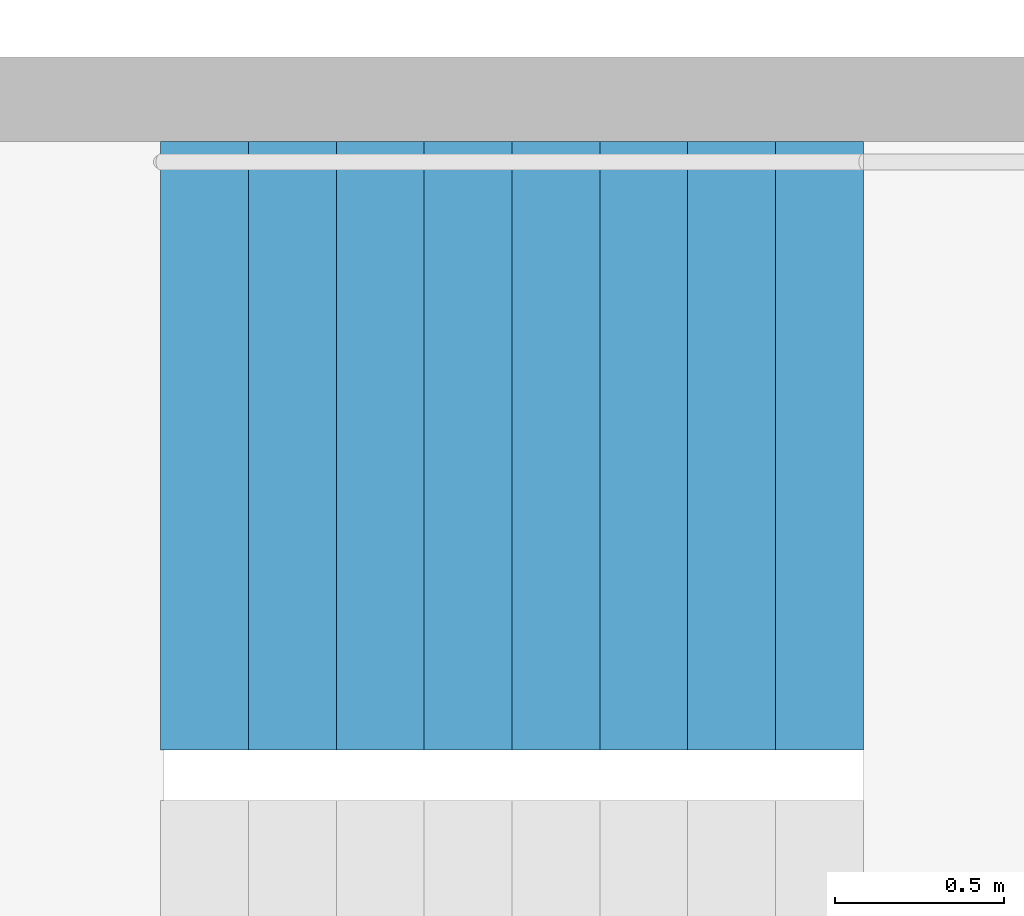
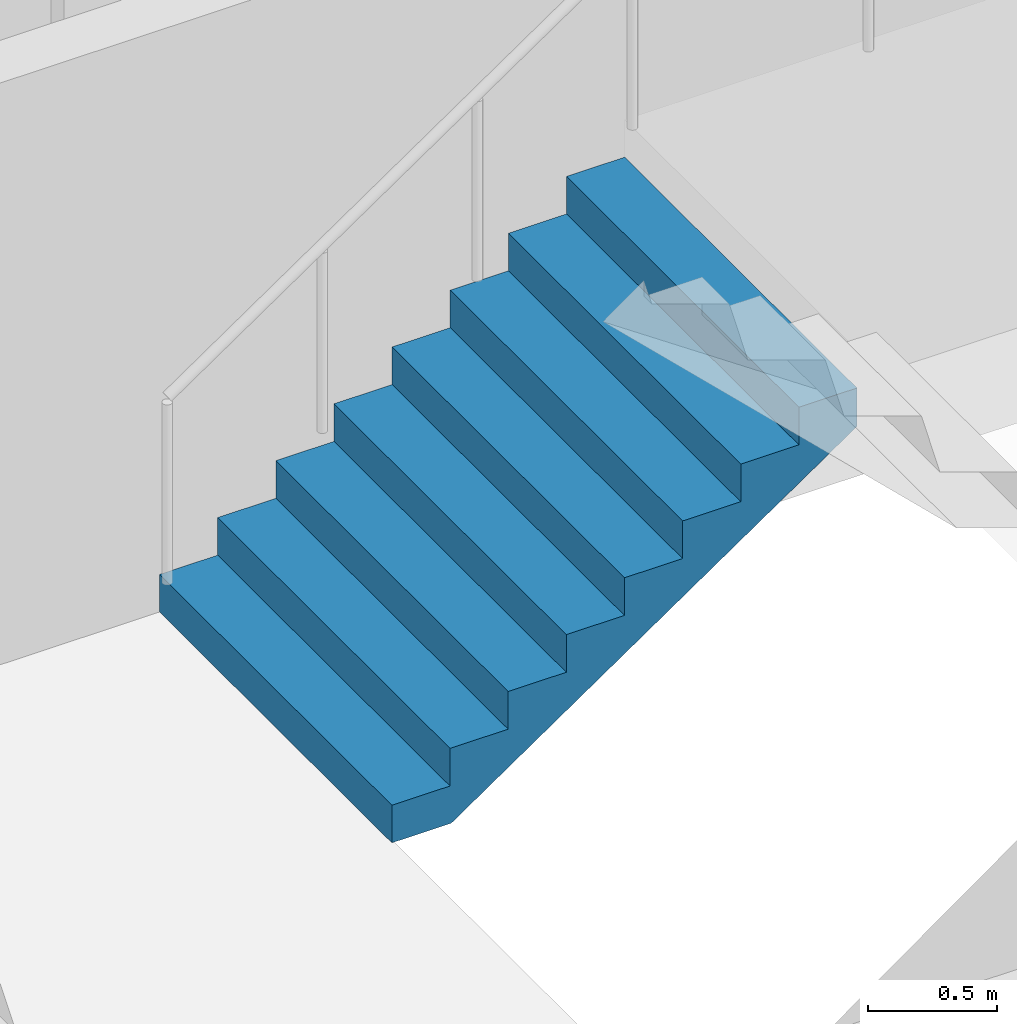
# One storey, part 24 of 27: 1 stair flight, 1 element without a shape of its own.
"""IFC4 building model written with IfcOpenShell, lengths in metres."""

import ifcopenshell
import ifcopenshell.guid

model = None  # the IFC model being written
_history = None  # IfcOwnerHistory: only IFC2X3 demands one
_inside = {}  # id of a spatial element -> (the spatial element, [elements in it])
_under = {}  # id of a project, library or spatial element -> (it, [spatial elements below it])
_declared = {}  # id of a project -> (the project, [libraries it declares])
_typed = {}  # id of a type object -> (the type object, [elements of that type])
_made_of = {}  # id of a material, layer set ... -> (it, [elements and type objects made of it])


def new_model(schema):
    """Start an empty IFC model of exactly this schema.

    Asked for "IFC4X3", IfcOpenShell would pick the latest addendum, in which some entities
    have other attributes; the version numbers below select the first issue.
    IFC2X3 requires an IfcOwnerHistory on every rooted entity: one is made here for all.
    """
    global model, _history
    if schema == "IFC4X3":
        model = ifcopenshell.file(schema_version=(4, 3, 0, 0))
    else:
        model = ifcopenshell.file(schema=schema)
    _inside.clear()
    _under.clear()
    _declared.clear()
    _typed.clear()
    _made_of.clear()
    _history = None
    if model.schema == "IFC2X3":
        org = make("IfcOrganization", Name="unknown")
        user = make(
            "IfcPersonAndOrganization",
            ThePerson=make("IfcPerson", FamilyName="unknown"),
            TheOrganization=org,
        )
        app = make(
            "IfcApplication",
            ApplicationDeveloper=org,
            Version="unknown",
            ApplicationFullName="unknown",
            ApplicationIdentifier="unknown",
        )
        _history = make(
            "IfcOwnerHistory",
            OwningUser=user,
            OwningApplication=app,
            ChangeAction="ADDED",
            CreationDate=0,
        )
    return model


def make(cls, **values):
    """One entity of the class cls with the attributes given. An attribute that is None is left unset."""
    return model.create_entity(
        cls, **{name: value for name, value in values.items() if value is not None}
    )


def rooted(cls, **values):
    """An entity with a GlobalId (a new one), such as an element, a storey or a relation."""
    return make(cls, GlobalId=ifcopenshell.guid.new(), OwnerHistory=_history, **values)


def si_unit(unit_type, name, prefix=None):
    """IfcSIUnit, for example si_unit("LENGTHUNIT", "METRE", prefix="MILLI")."""
    return make("IfcSIUnit", UnitType=unit_type, Prefix=prefix, Name=name)


def assignment(units):
    """IfcUnitAssignment: the units of a project."""
    return None if units is None else make("IfcUnitAssignment", Units=units)


def point(xyz):
    """IfcCartesianPoint."""
    return None if xyz is None else make("IfcCartesianPoint", Coordinates=xyz)


def direction(xyz):
    """IfcDirection."""
    return None if xyz is None else make("IfcDirection", DirectionRatios=xyz)


def frame(location, z_axis=None, x_axis=None):
    """IfcAxis2Placement3D, a coordinate frame: its origin and axes. An axis left out is left unset."""
    return make(
        "IfcAxis2Placement3D",
        Location=point(location),
        Axis=direction(z_axis),
        RefDirection=direction(x_axis),
    )


def origin():
    """The frame at (0, 0, 0) with its axes left unset."""
    return frame((0.0, 0.0, 0.0))


def place(relative_to, where):
    """IfcLocalPlacement: puts the frame where relative to a parent placement (None: the world)."""
    return make(
        "IfcLocalPlacement", PlacementRelTo=relative_to, RelativePlacement=where
    )


def context(
    kind, dimensions, precision=None, world=None, true_north=None, identifier=None
):
    """IfcGeometricRepresentationContext, for example the 3D "Model" context."""
    return make(
        "IfcGeometricRepresentationContext",
        ContextIdentifier=identifier,
        ContextType=kind,
        CoordinateSpaceDimension=dimensions,
        Precision=precision,
        WorldCoordinateSystem=world,
        TrueNorth=true_north,
    )


def subcontext(parent, identifier, kind, view, scale=None):
    """IfcGeometricRepresentationSubContext, for example "Body" below "Model"."""
    return make(
        "IfcGeometricRepresentationSubContext",
        ContextIdentifier=identifier,
        ContextType=kind,
        ParentContext=parent,
        TargetScale=scale,
        TargetView=view,
    )


def project(units=None, contexts=None):
    """IfcProject with its units and contexts."""
    return rooted(
        "IfcProject",
        Name="project",
        RepresentationContexts=contexts,
        UnitsInContext=assignment(units),
    )


def spatial(cls, under=None, at=None, **own):
    """A site, building, storey or space (cls), placed at a placement, below another one or the project."""
    s = rooted(cls, ObjectPlacement=at, **own)
    if under is not None:
        _under.setdefault(under.id(), (under, []))[1].append(s)
    return s


def point_list(points):
    """IfcCartesianPointList2D or 3D."""
    cls = (
        "IfcCartesianPointList2D" if len(points[0]) == 2 else "IfcCartesianPointList3D"
    )
    return make(cls, CoordList=points)


def triangles(points, corners, closed=None, point_numbers=None):
    """IfcTriangulatedFaceSet: each triangle names its three corners, points numbered from 1."""
    return make(
        "IfcTriangulatedFaceSet",
        Coordinates=point_list(points),
        Closed=closed,
        CoordIndex=corners,
        PnIndex=point_numbers,
    )


def shape(context_of_items, identifier, shape_type, items):
    """IfcShapeRepresentation: the items that make up one representation, for example the "Body"."""
    return make(
        "IfcShapeRepresentation",
        ContextOfItems=context_of_items,
        RepresentationIdentifier=identifier,
        RepresentationType=shape_type,
        Items=items,
    )


def material(Name=None, Category=None):
    """IfcMaterial."""
    return make("IfcMaterial", Name=Name, Category=Category)


def made_of(thing, what):
    """Note that an element or type object is made of a material, layer set ...; save() writes the relation."""
    if what is not None:
        _made_of.setdefault(what.id(), (what, []))[1].append(thing)
    return thing


def type_object(cls, material=None, **own):
    """A type object (cls), such as IfcWallType, which elements share."""
    return made_of(rooted(cls, **own), material)


def element(
    cls,
    number,
    at=None,
    inside=None,
    cuts=None,
    type_object=None,
    material=None,
    context=None,
    identifier="Body",
    shape_type=None,
    held_by="IfcProductDefinitionShape",
    body=None,
    shapes=None,
    **own,
):
    """One element of the class cls, such as IfcWall. Its Tag is "e" and its number.

    at: its placement. inside: the storey or other place that contains it. cuts: it is an
    opening in that element (IfcRelVoidsElement). A single representation is given by context,
    identifier, shape_type and body (its items); several are given by shapes. held_by: the class
    of the entity that holds the representations. save() writes the other relations.
    """
    e = rooted(cls, Tag="e%d" % number, ObjectPlacement=at, **own)
    if body is not None:
        shapes = [shape(context, identifier, shape_type, body)]
    if shapes is not None:
        e.Representation = make(held_by, Representations=shapes)
    if inside is not None:
        _inside.setdefault(inside.id(), (inside, []))[1].append(e)
    if cuts is not None:
        rooted(
            "IfcRelVoidsElement", RelatingBuildingElement=cuts, RelatedOpeningElement=e
        )
    if type_object is not None:
        _typed.setdefault(type_object.id(), (type_object, []))[1].append(e)
    return made_of(e, material)


def aggregate(whole, parts):
    """IfcRelAggregates: a whole, such as a stair, and the parts it consists of."""
    return rooted("IfcRelAggregates", RelatingObject=whole, RelatedObjects=parts)


def save(model, path):
    """Write the relations noted so far, then the file.

    IfcRelAggregates (storeys below a building ...), IfcRelContainedInSpatialStructure (elements
    in a storey), IfcRelDefinesByType, IfcRelAssociatesMaterial and IfcRelDeclares: one each for
    every whole, place, type object, material and project.
    """
    for whole, parts in _under.values():
        aggregate(whole, parts)
    for where, things in _inside.values():
        rooted(
            "IfcRelContainedInSpatialStructure",
            RelatedElements=things,
            RelatingStructure=where,
        )
    for kind, things in _typed.values():
        rooted("IfcRelDefinesByType", RelatedObjects=things, RelatingType=kind)
    for what, things in _made_of.values():
        rooted("IfcRelAssociatesMaterial", RelatedObjects=things, RelatingMaterial=what)
    for by, libraries in _declared.values():
        rooted("IfcRelDeclares", RelatingContext=by, RelatedDefinitions=libraries)
    model.write(path)


model = new_model("IFC4")

# Units and contexts
model_context = context("Model", 3, precision=1e-05, world=origin(), true_north=direction((0.0, 1.0)))
body_context = subcontext(model_context, "Body", "Model", "MODEL_VIEW")
ifc_project = project(units=[si_unit("LENGTHUNIT", "METRE"), si_unit("AREAUNIT", "SQUARE_METRE"), si_unit("VOLUMEUNIT", "CUBIC_METRE"), si_unit("PLANEANGLEUNIT", "RADIAN"), si_unit("MASSUNIT", "GRAM", prefix="KILO")], contexts=[model_context])

# Site, building, storey
site_placement = place(None, origin())
site = spatial("IfcSite", under=ifc_project, at=site_placement, CompositionType="ELEMENT")
building_placement = place(site_placement, origin())
building = spatial("IfcBuilding", under=site, at=building_placement, Name="Hakoniwa Tower and Hamabe Station Hall", CompositionType="ELEMENT")
storey_placement = place(building_placement, frame((0.0, 0.0, 242.199951171875)))
storey = spatial("IfcBuildingStorey", under=building, at=storey_placement, Name="L68", CompositionType="ELEMENT", Elevation=242.199951171875)

# Stair, stair flight
ifc_material_1 = material(Name="Concrete C40", Category="concrete")
stair_type = type_object("IfcStairType", Name="ESCAPE STAIR 1800", PredefinedType="HALF_TURN_STAIR", material=ifc_material_1)
stair_placement = place(storey_placement, origin())
stair = element("IfcStair", 1, at=stair_placement, inside=storey, type_object=stair_type, Name="Escape stair ST-4 L68", PredefinedType="HALF_TURN_STAIR")
ifc_material_2 = material(Name="Concrete C40", Category="concrete")
stair_flight_type = type_object("IfcStairFlightType", Name="STAIR FLIGHT 1800", PredefinedType="STRAIGHT", material=ifc_material_2)
stair_flight_placement = place(storey_placement, frame((23.39990234375, -4.64990234375, 0.0), z_axis=(0.0, 0.0, 1.0), x_axis=(1.0, 0.0, 0.0)))
stair_flight = element("IfcStairFlight", 2, at=stair_flight_placement, type_object=stair_flight_type, Name="ST-4 flight 1", NumberOfRisers=9, NumberOfTreads=8, PredefinedType="STRAIGHT", RiserHeight=0.177777778, TreadLength=0.26, context=body_context, shape_type="Tessellation", body=[
    triangles([(0.0, 0.89990234375, 0.0), (0.260009765625, 0.89990234375, 0.0), (0.265625, 0.89990234375, 0.0), (0.52001953125, 0.89990234375, 0.174072265625), (0.780029296875, 0.89990234375, 0.351806640625), (1.0400390625, 0.89990234375, 0.529541015625), (1.300048828125, 0.89990234375, 0.707275390625), (1.56005859375, 0.89990234375, 0.885009765625), (1.820068359375, 0.89990234375, 1.062744140625), (2.080078125, 0.89990234375, 1.24072265625), (2.080078125, 0.89990234375, 1.422119140625), (1.820068359375, 0.89990234375, 1.422119140625), (1.820068359375, 0.89990234375, 1.244384765625), (1.56005859375, 0.89990234375, 1.244384765625), (1.56005859375, 0.89990234375, 1.066650390625), (1.300048828125, 0.89990234375, 1.066650390625), (1.300048828125, 0.89990234375, 0.888916015625), (1.0400390625, 0.89990234375, 0.888916015625), (1.0400390625, 0.89990234375, 0.711181640625), (0.780029296875, 0.89990234375, 0.711181640625), (0.780029296875, 0.89990234375, 0.533447265625), (0.52001953125, 0.89990234375, 0.533447265625), (0.52001953125, 0.89990234375, 0.35546875), (0.265625, 0.89990234375, 0.35546875), (0.260009765625, 0.89990234375, 0.35546875), (0.260009765625, 0.89990234375, 0.177734375), (0.0, 0.89990234375, 0.177734375), (0.0, 0.06005859375, 0.0), (0.260009765625, 0.06005859375, 0.0), (0.265625, 0.06005859375, 0.0), (0.52001953125, 0.06005859375, 0.174072265625), (0.780029296875, 0.06005859375, 0.351806640625), (1.0400390625, 0.06005859375, 0.529541015625), (1.300048828125, 0.06005859375, 0.707275390625), (1.56005859375, 0.06005859375, 0.885009765625), (1.820068359375, 0.06005859375, 1.062744140625), (2.080078125, 0.06005859375, 1.24072265625), (2.080078125, 0.06005859375, 1.422119140625), (1.820068359375, 0.06005859375, 1.422119140625), (1.820068359375, 0.06005859375, 1.244384765625), (1.56005859375, 0.06005859375, 1.244384765625), (1.56005859375, 0.06005859375, 1.066650390625), (1.300048828125, 0.06005859375, 1.066650390625), (1.300048828125, 0.06005859375, 0.888916015625), (1.0400390625, 0.06005859375, 0.888916015625), (1.0400390625, 0.06005859375, 0.711181640625), (0.780029296875, 0.06005859375, 0.711181640625), (0.780029296875, 0.06005859375, 0.533447265625), (0.52001953125, 0.06005859375, 0.533447265625), (0.52001953125, 0.06005859375, 0.35546875), (0.265625, 0.06005859375, 0.35546875), (0.260009765625, 0.06005859375, 0.35546875), (0.260009765625, 0.06005859375, 0.177734375), (0.0, 0.06005859375, 0.177734375), (0.0, 0.04296875, 0.0), (0.260009765625, 0.04296875, 0.0), (0.265625, 0.04296875, 0.0), (0.52001953125, 0.04296875, 0.174072265625), (0.780029296875, 0.04296875, 0.351806640625), (1.0400390625, 0.04296875, 0.529541015625), (1.300048828125, 0.04296875, 0.707275390625), (1.56005859375, 0.04296875, 0.885009765625), (1.820068359375, 0.04296875, 1.062744140625), (2.080078125, 0.04296875, 1.24072265625), (2.080078125, 0.04296875, 1.422119140625), (1.820068359375, 0.04296875, 1.422119140625), (1.820068359375, 0.04296875, 1.244384765625), (1.56005859375, 0.04296875, 1.244384765625), (1.56005859375, 0.04296875, 1.066650390625), (1.300048828125, 0.04296875, 1.066650390625), (1.300048828125, 0.04296875, 0.888916015625), (1.0400390625, 0.04296875, 0.888916015625), (1.0400390625, 0.04296875, 0.711181640625), (0.780029296875, 0.04296875, 0.711181640625), (0.780029296875, 0.04296875, 0.533447265625), (0.52001953125, 0.04296875, 0.533447265625), (0.52001953125, 0.04296875, 0.35546875), (0.265625, 0.04296875, 0.35546875), (0.260009765625, 0.04296875, 0.35546875), (0.260009765625, 0.04296875, 0.177734375), (0.0, 0.04296875, 0.177734375), (0.0, 0.025634765625, 0.0), (0.260009765625, 0.025634765625, 0.0), (0.265625, 0.025634765625, 0.0), (0.52001953125, 0.025634765625, 0.174072265625), (0.780029296875, 0.025634765625, 0.351806640625), (1.0400390625, 0.025634765625, 0.529541015625), (1.300048828125, 0.025634765625, 0.707275390625), (1.56005859375, 0.025634765625, 0.885009765625), (1.820068359375, 0.025634765625, 1.062744140625), (2.080078125, 0.025634765625, 1.24072265625), (2.080078125, 0.025634765625, 1.422119140625), (1.820068359375, 0.025634765625, 1.422119140625), (1.820068359375, 0.025634765625, 1.244384765625), (1.56005859375, 0.025634765625, 1.244384765625), (1.56005859375, 0.025634765625, 1.066650390625), (1.300048828125, 0.025634765625, 1.066650390625), (1.300048828125, 0.025634765625, 0.888916015625), (1.0400390625, 0.025634765625, 0.888916015625), (1.0400390625, 0.025634765625, 0.711181640625), (0.780029296875, 0.025634765625, 0.711181640625), (0.780029296875, 0.025634765625, 0.533447265625), (0.52001953125, 0.025634765625, 0.533447265625), (0.52001953125, 0.025634765625, 0.35546875), (0.265625, 0.025634765625, 0.35546875), (0.260009765625, 0.025634765625, 0.35546875), (0.260009765625, 0.025634765625, 0.177734375), (0.0, 0.025634765625, 0.177734375), (0.0, 0.008544921875, 0.0), (0.260009765625, 0.008544921875, 0.0), (0.265625, 0.008544921875, 0.0), (0.52001953125, 0.008544921875, 0.174072265625), (0.780029296875, 0.008544921875, 0.351806640625), (1.0400390625, 0.008544921875, 0.529541015625), (1.300048828125, 0.008544921875, 0.707275390625), (1.56005859375, 0.008544921875, 0.885009765625), (1.820068359375, 0.008544921875, 1.062744140625), (2.080078125, 0.008544921875, 1.24072265625), (2.080078125, 0.008544921875, 1.422119140625), (1.820068359375, 0.008544921875, 1.422119140625), (1.820068359375, 0.008544921875, 1.244384765625), (1.56005859375, 0.008544921875, 1.244384765625), (1.56005859375, 0.008544921875, 1.066650390625), (1.300048828125, 0.008544921875, 1.066650390625), (1.300048828125, 0.008544921875, 0.888916015625), (1.0400390625, 0.008544921875, 0.888916015625), (1.0400390625, 0.008544921875, 0.711181640625), (0.780029296875, 0.008544921875, 0.711181640625), (0.780029296875, 0.008544921875, 0.533447265625), (0.52001953125, 0.008544921875, 0.533447265625), (0.52001953125, 0.008544921875, 0.35546875), (0.265625, 0.008544921875, 0.35546875), (0.260009765625, 0.008544921875, 0.35546875), (0.260009765625, 0.008544921875, 0.177734375), (0.0, 0.008544921875, 0.177734375), (0.0, -0.008544921875, 0.0), (0.260009765625, -0.008544921875, 0.0), (0.265625, -0.008544921875, 0.0), (0.52001953125, -0.008544921875, 0.174072265625), (0.780029296875, -0.008544921875, 0.351806640625), (1.0400390625, -0.008544921875, 0.529541015625), (1.300048828125, -0.008544921875, 0.707275390625), (1.56005859375, -0.008544921875, 0.885009765625), (1.820068359375, -0.008544921875, 1.062744140625), (2.080078125, -0.008544921875, 1.24072265625), (2.080078125, -0.008544921875, 1.422119140625), (1.820068359375, -0.008544921875, 1.422119140625), (1.820068359375, -0.008544921875, 1.244384765625), (1.56005859375, -0.008544921875, 1.244384765625), (1.56005859375, -0.008544921875, 1.066650390625), (1.300048828125, -0.008544921875, 1.066650390625), (1.300048828125, -0.008544921875, 0.888916015625), (1.0400390625, -0.008544921875, 0.888916015625), (1.0400390625, -0.008544921875, 0.711181640625), (0.780029296875, -0.008544921875, 0.711181640625), (0.780029296875, -0.008544921875, 0.533447265625), (0.52001953125, -0.008544921875, 0.533447265625), (0.52001953125, -0.008544921875, 0.35546875), (0.265625, -0.008544921875, 0.35546875), (0.260009765625, -0.008544921875, 0.35546875), (0.260009765625, -0.008544921875, 0.177734375), (0.0, -0.008544921875, 0.177734375), (0.0, -0.025634765625, 0.0), (0.260009765625, -0.025634765625, 0.0), (0.265625, -0.025634765625, 0.0), (0.52001953125, -0.025634765625, 0.174072265625), (0.780029296875, -0.025634765625, 0.351806640625), (1.0400390625, -0.025634765625, 0.529541015625), (1.300048828125, -0.025634765625, 0.707275390625), (1.56005859375, -0.025634765625, 0.885009765625), (1.820068359375, -0.025634765625, 1.062744140625), (2.080078125, -0.025634765625, 1.24072265625), (2.080078125, -0.025634765625, 1.422119140625), (1.820068359375, -0.025634765625, 1.422119140625), (1.820068359375, -0.025634765625, 1.244384765625), (1.56005859375, -0.025634765625, 1.244384765625), (1.56005859375, -0.025634765625, 1.066650390625), (1.300048828125, -0.025634765625, 1.066650390625), (1.300048828125, -0.025634765625, 0.888916015625), (1.0400390625, -0.025634765625, 0.888916015625), (1.0400390625, -0.025634765625, 0.711181640625), (0.780029296875, -0.025634765625, 0.711181640625), (0.780029296875, -0.025634765625, 0.533447265625), (0.52001953125, -0.025634765625, 0.533447265625), (0.52001953125, -0.025634765625, 0.35546875), (0.265625, -0.025634765625, 0.35546875), (0.260009765625, -0.025634765625, 0.35546875), (0.260009765625, -0.025634765625, 0.177734375), (0.0, -0.025634765625, 0.177734375), (0.0, -0.04296875, 0.0), (0.260009765625, -0.04296875, 0.0), (0.265625, -0.04296875, 0.0), (0.52001953125, -0.04296875, 0.174072265625), (0.780029296875, -0.04296875, 0.351806640625), (1.0400390625, -0.04296875, 0.529541015625), (1.300048828125, -0.04296875, 0.707275390625), (1.56005859375, -0.04296875, 0.885009765625), (1.820068359375, -0.04296875, 1.062744140625), (2.080078125, -0.04296875, 1.24072265625), (2.080078125, -0.04296875, 1.422119140625), (1.820068359375, -0.04296875, 1.422119140625), (1.820068359375, -0.04296875, 1.244384765625), (1.56005859375, -0.04296875, 1.244384765625), (1.56005859375, -0.04296875, 1.066650390625), (1.300048828125, -0.04296875, 1.066650390625), (1.300048828125, -0.04296875, 0.888916015625), (1.0400390625, -0.04296875, 0.888916015625), (1.0400390625, -0.04296875, 0.711181640625), (0.780029296875, -0.04296875, 0.711181640625), (0.780029296875, -0.04296875, 0.533447265625), (0.52001953125, -0.04296875, 0.533447265625), (0.52001953125, -0.04296875, 0.35546875), (0.265625, -0.04296875, 0.35546875), (0.260009765625, -0.04296875, 0.35546875), (0.260009765625, -0.04296875, 0.177734375), (0.0, -0.04296875, 0.177734375), (0.0, -0.06005859375, 0.0), (0.260009765625, -0.06005859375, 0.0), (0.265625, -0.06005859375, 0.0), (0.52001953125, -0.06005859375, 0.174072265625), (0.780029296875, -0.06005859375, 0.351806640625), (1.0400390625, -0.06005859375, 0.529541015625), (1.300048828125, -0.06005859375, 0.707275390625), (1.56005859375, -0.06005859375, 0.885009765625), (1.820068359375, -0.06005859375, 1.062744140625), (2.080078125, -0.06005859375, 1.24072265625), (2.080078125, -0.06005859375, 1.422119140625), (1.820068359375, -0.06005859375, 1.422119140625), (1.820068359375, -0.06005859375, 1.244384765625), (1.56005859375, -0.06005859375, 1.244384765625), (1.56005859375, -0.06005859375, 1.066650390625), (1.300048828125, -0.06005859375, 1.066650390625), (1.300048828125, -0.06005859375, 0.888916015625), (1.0400390625, -0.06005859375, 0.888916015625), (1.0400390625, -0.06005859375, 0.711181640625), (0.780029296875, -0.06005859375, 0.711181640625), (0.780029296875, -0.06005859375, 0.533447265625), (0.52001953125, -0.06005859375, 0.533447265625), (0.52001953125, -0.06005859375, 0.35546875), (0.265625, -0.06005859375, 0.35546875), (0.260009765625, -0.06005859375, 0.35546875), (0.260009765625, -0.06005859375, 0.177734375), (0.0, -0.06005859375, 0.177734375), (0.0, -0.89990234375, 0.0), (0.260009765625, -0.89990234375, 0.0), (0.265625, -0.89990234375, 0.0), (0.52001953125, -0.89990234375, 0.174072265625), (0.780029296875, -0.89990234375, 0.351806640625), (1.0400390625, -0.89990234375, 0.529541015625), (1.300048828125, -0.89990234375, 0.707275390625), (1.56005859375, -0.89990234375, 0.885009765625), (1.820068359375, -0.89990234375, 1.062744140625), (2.080078125, -0.89990234375, 1.24072265625), (2.080078125, -0.89990234375, 1.422119140625), (1.820068359375, -0.89990234375, 1.422119140625), (1.820068359375, -0.89990234375, 1.244384765625), (1.56005859375, -0.89990234375, 1.244384765625), (1.56005859375, -0.89990234375, 1.066650390625), (1.300048828125, -0.89990234375, 1.066650390625), (1.300048828125, -0.89990234375, 0.888916015625), (1.0400390625, -0.89990234375, 0.888916015625), (1.0400390625, -0.89990234375, 0.711181640625), (0.780029296875, -0.89990234375, 0.711181640625), (0.780029296875, -0.89990234375, 0.533447265625), (0.52001953125, -0.89990234375, 0.533447265625), (0.52001953125, -0.89990234375, 0.35546875), (0.265625, -0.89990234375, 0.35546875), (0.260009765625, -0.89990234375, 0.35546875), (0.260009765625, -0.89990234375, 0.177734375), (0.0, -0.89990234375, 0.177734375)], [[2, 27, 26], [245, 269, 270], [2, 1, 27], [245, 270, 244], [3, 25, 24], [246, 267, 268], [3, 26, 25], [246, 268, 269], [3, 2, 26], [246, 269, 245], [4, 24, 23], [247, 266, 267], [4, 3, 24], [247, 267, 246], [5, 22, 21], [248, 264, 265], [5, 23, 22], [248, 265, 266], [5, 4, 23], [248, 266, 247], [6, 20, 19], [249, 262, 263], [6, 21, 20], [249, 263, 264], [6, 5, 21], [249, 264, 248], [7, 18, 17], [250, 260, 261], [7, 19, 18], [250, 261, 262], [7, 6, 19], [250, 262, 249], [8, 16, 15], [251, 258, 259], [8, 17, 16], [251, 259, 260], [8, 7, 17], [251, 260, 250], [9, 14, 13], [252, 256, 257], [9, 15, 14], [252, 257, 258], [9, 8, 15], [252, 258, 251], [10, 12, 11], [253, 254, 255], [10, 13, 12], [253, 255, 256], [10, 9, 13], [253, 256, 252], [1, 2, 29], [1, 29, 28], [28, 29, 56], [28, 56, 55], [55, 56, 83], [55, 83, 82], [82, 83, 110], [82, 110, 109], [109, 110, 137], [109, 137, 136], [136, 137, 164], [136, 164, 163], [163, 164, 191], [163, 191, 190], [190, 191, 218], [190, 218, 217], [217, 218, 245], [217, 245, 244], [2, 3, 30], [2, 30, 29], [29, 30, 57], [29, 57, 56], [56, 57, 84], [56, 84, 83], [83, 84, 111], [83, 111, 110], [110, 111, 138], [110, 138, 137], [137, 138, 165], [137, 165, 164], [164, 165, 192], [164, 192, 191], [191, 192, 219], [191, 219, 218], [218, 219, 246], [218, 246, 245], [3, 4, 31], [3, 31, 30], [30, 31, 58], [30, 58, 57], [57, 58, 85], [57, 85, 84], [84, 85, 112], [84, 112, 111], [111, 112, 139], [111, 139, 138], [138, 139, 166], [138, 166, 165], [165, 166, 193], [165, 193, 192], [192, 193, 220], [192, 220, 219], [219, 220, 247], [219, 247, 246], [4, 5, 32], [4, 32, 31], [31, 32, 59], [31, 59, 58], [58, 59, 86], [58, 86, 85], [85, 86, 113], [85, 113, 112], [112, 113, 140], [112, 140, 139], [139, 140, 167], [139, 167, 166], [166, 167, 194], [166, 194, 193], [193, 194, 221], [193, 221, 220], [220, 221, 248], [220, 248, 247], [5, 6, 33], [5, 33, 32], [32, 33, 60], [32, 60, 59], [59, 60, 87], [59, 87, 86], [86, 87, 114], [86, 114, 113], [113, 114, 141], [113, 141, 140], [140, 141, 168], [140, 168, 167], [167, 168, 195], [167, 195, 194], [194, 195, 222], [194, 222, 221], [221, 222, 249], [221, 249, 248], [6, 7, 34], [6, 34, 33], [33, 34, 61], [33, 61, 60], [60, 61, 88], [60, 88, 87], [87, 88, 115], [87, 115, 114], [114, 115, 142], [114, 142, 141], [141, 142, 169], [141, 169, 168], [168, 169, 196], [168, 196, 195], [195, 196, 223], [195, 223, 222], [222, 223, 250], [222, 250, 249], [7, 8, 35], [7, 35, 34], [34, 35, 62], [34, 62, 61], [61, 62, 89], [61, 89, 88], [88, 89, 116], [88, 116, 115], [115, 116, 143], [115, 143, 142], [142, 143, 170], [142, 170, 169], [169, 170, 197], [169, 197, 196], [196, 197, 224], [196, 224, 223], [223, 224, 251], [223, 251, 250], [8, 9, 36], [8, 36, 35], [35, 36, 63], [35, 63, 62], [62, 63, 90], [62, 90, 89], [89, 90, 117], [89, 117, 116], [116, 117, 144], [116, 144, 143], [143, 144, 171], [143, 171, 170], [170, 171, 198], [170, 198, 197], [197, 198, 225], [197, 225, 224], [224, 225, 252], [224, 252, 251], [9, 10, 37], [9, 37, 36], [36, 37, 64], [36, 64, 63], [63, 64, 91], [63, 91, 90], [90, 91, 118], [90, 118, 117], [117, 118, 145], [117, 145, 144], [144, 145, 172], [144, 172, 171], [171, 172, 199], [171, 199, 198], [198, 199, 226], [198, 226, 225], [225, 226, 253], [225, 253, 252], [10, 11, 38], [10, 38, 37], [37, 38, 65], [37, 65, 64], [64, 65, 92], [64, 92, 91], [91, 92, 119], [91, 119, 118], [118, 119, 146], [118, 146, 145], [145, 146, 173], [145, 173, 172], [172, 173, 200], [172, 200, 199], [199, 200, 227], [199, 227, 226], [226, 227, 254], [226, 254, 253], [11, 12, 39], [11, 39, 38], [38, 39, 66], [38, 66, 65], [65, 66, 93], [65, 93, 92], [92, 93, 120], [92, 120, 119], [119, 120, 147], [119, 147, 146], [146, 147, 174], [146, 174, 173], [173, 174, 201], [173, 201, 200], [200, 201, 228], [200, 228, 227], [227, 228, 255], [227, 255, 254], [12, 13, 40], [12, 40, 39], [39, 40, 67], [39, 67, 66], [66, 67, 94], [66, 94, 93], [93, 94, 121], [93, 121, 120], [120, 121, 148], [120, 148, 147], [147, 148, 175], [147, 175, 174], [174, 175, 202], [174, 202, 201], [201, 202, 229], [201, 229, 228], [228, 229, 256], [228, 256, 255], [13, 14, 41], [13, 41, 40], [40, 41, 68], [40, 68, 67], [67, 68, 95], [67, 95, 94], [94, 95, 122], [94, 122, 121], [121, 122, 149], [121, 149, 148], [148, 149, 176], [148, 176, 175], [175, 176, 203], [175, 203, 202], [202, 203, 230], [202, 230, 229], [229, 230, 257], [229, 257, 256], [14, 15, 42], [14, 42, 41], [41, 42, 69], [41, 69, 68], [68, 69, 96], [68, 96, 95], [95, 96, 123], [95, 123, 122], [122, 123, 150], [122, 150, 149], [149, 150, 177], [149, 177, 176], [176, 177, 204], [176, 204, 203], [203, 204, 231], [203, 231, 230], [230, 231, 258], [230, 258, 257], [15, 16, 43], [15, 43, 42], [42, 43, 70], [42, 70, 69], [69, 70, 97], [69, 97, 96], [96, 97, 124], [96, 124, 123], [123, 124, 151], [123, 151, 150], [150, 151, 178], [150, 178, 177], [177, 178, 205], [177, 205, 204], [204, 205, 232], [204, 232, 231], [231, 232, 259], [231, 259, 258], [16, 17, 44], [16, 44, 43], [43, 44, 71], [43, 71, 70], [70, 71, 98], [70, 98, 97], [97, 98, 125], [97, 125, 124], [124, 125, 152], [124, 152, 151], [151, 152, 179], [151, 179, 178], [178, 179, 206], [178, 206, 205], [205, 206, 233], [205, 233, 232], [232, 233, 260], [232, 260, 259], [17, 18, 45], [17, 45, 44], [44, 45, 72], [44, 72, 71], [71, 72, 99], [71, 99, 98], [98, 99, 126], [98, 126, 125], [125, 126, 153], [125, 153, 152], [152, 153, 180], [152, 180, 179], [179, 180, 207], [179, 207, 206], [206, 207, 234], [206, 234, 233], [233, 234, 261], [233, 261, 260], [18, 19, 46], [18, 46, 45], [45, 46, 73], [45, 73, 72], [72, 73, 100], [72, 100, 99], [99, 100, 127], [99, 127, 126], [126, 127, 154], [126, 154, 153], [153, 154, 181], [153, 181, 180], [180, 181, 208], [180, 208, 207], [207, 208, 235], [207, 235, 234], [234, 235, 262], [234, 262, 261], [19, 20, 47], [19, 47, 46], [46, 47, 74], [46, 74, 73], [73, 74, 101], [73, 101, 100], [100, 101, 128], [100, 128, 127], [127, 128, 155], [127, 155, 154], [154, 155, 182], [154, 182, 181], [181, 182, 209], [181, 209, 208], [208, 209, 236], [208, 236, 235], [235, 236, 263], [235, 263, 262], [20, 21, 48], [20, 48, 47], [47, 48, 75], [47, 75, 74], [74, 75, 102], [74, 102, 101], [101, 102, 129], [101, 129, 128], [128, 129, 156], [128, 156, 155], [155, 156, 183], [155, 183, 182], [182, 183, 210], [182, 210, 209], [209, 210, 237], [209, 237, 236], [236, 237, 264], [236, 264, 263], [21, 22, 49], [21, 49, 48], [48, 49, 76], [48, 76, 75], [75, 76, 103], [75, 103, 102], [102, 103, 130], [102, 130, 129], [129, 130, 157], [129, 157, 156], [156, 157, 184], [156, 184, 183], [183, 184, 211], [183, 211, 210], [210, 211, 238], [210, 238, 237], [237, 238, 265], [237, 265, 264], [22, 23, 50], [22, 50, 49], [49, 50, 77], [49, 77, 76], [76, 77, 104], [76, 104, 103], [103, 104, 131], [103, 131, 130], [130, 131, 158], [130, 158, 157], [157, 158, 185], [157, 185, 184], [184, 185, 212], [184, 212, 211], [211, 212, 239], [211, 239, 238], [238, 239, 266], [238, 266, 265], [23, 24, 51], [23, 51, 50], [50, 51, 78], [50, 78, 77], [77, 78, 105], [77, 105, 104], [104, 105, 132], [104, 132, 131], [131, 132, 159], [131, 159, 158], [158, 159, 186], [158, 186, 185], [185, 186, 213], [185, 213, 212], [212, 213, 240], [212, 240, 239], [239, 240, 267], [239, 267, 266], [24, 25, 52], [24, 52, 51], [51, 52, 79], [51, 79, 78], [78, 79, 106], [78, 106, 105], [105, 106, 133], [105, 133, 132], [132, 133, 160], [132, 160, 159], [159, 160, 187], [159, 187, 186], [186, 187, 214], [186, 214, 213], [213, 214, 241], [213, 241, 240], [240, 241, 268], [240, 268, 267], [25, 26, 53], [25, 53, 52], [52, 53, 80], [52, 80, 79], [79, 80, 107], [79, 107, 106], [106, 107, 134], [106, 134, 133], [133, 134, 161], [133, 161, 160], [160, 161, 188], [160, 188, 187], [187, 188, 215], [187, 215, 214], [214, 215, 242], [214, 242, 241], [241, 242, 269], [241, 269, 268], [26, 27, 54], [26, 54, 53], [53, 54, 81], [53, 81, 80], [80, 81, 108], [80, 108, 107], [107, 108, 135], [107, 135, 134], [134, 135, 162], [134, 162, 161], [161, 162, 189], [161, 189, 188], [188, 189, 216], [188, 216, 215], [215, 216, 243], [215, 243, 242], [242, 243, 270], [242, 270, 269], [27, 1, 28], [27, 28, 54], [54, 28, 55], [54, 55, 81], [81, 55, 82], [81, 82, 108], [108, 82, 109], [108, 109, 135], [135, 109, 136], [135, 136, 162], [162, 136, 163], [162, 163, 189], [189, 163, 190], [189, 190, 216], [216, 190, 217], [216, 217, 243], [243, 217, 244], [243, 244, 270]], closed=True),
])
aggregate(stair, [stair_flight])

save(model, "model.ifc")
